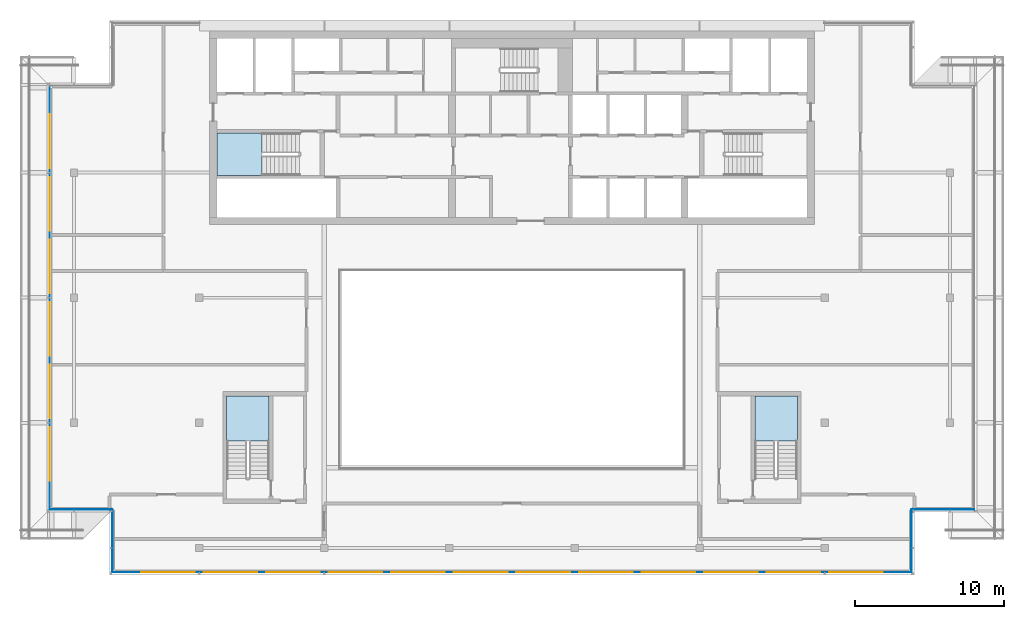
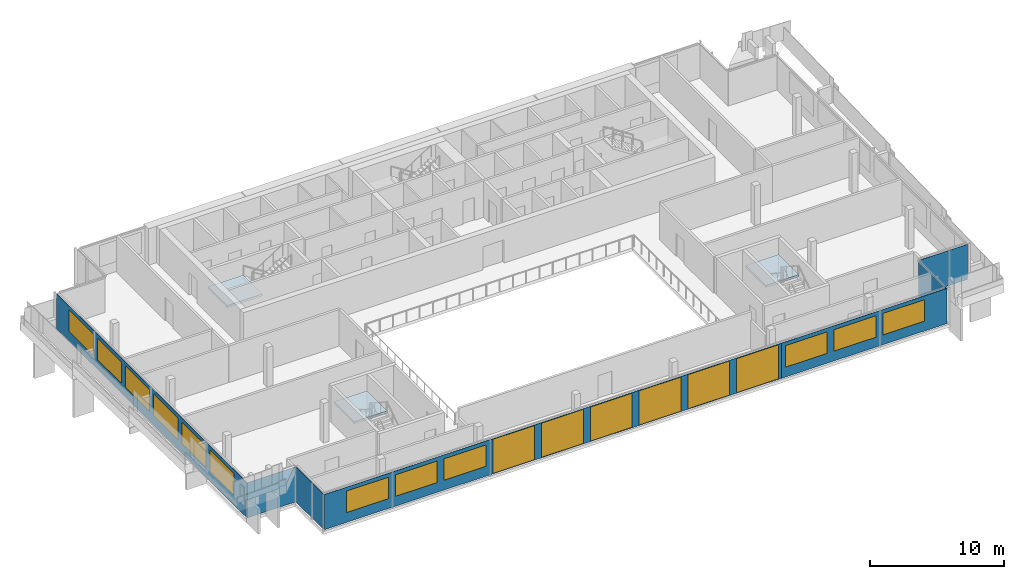
# One storey, part 9 of 20: 18 windows, 8 plates, 3 slabs, 18 openings, 9 elements without a shape of their own.
"""IFC4 building model written with IfcOpenShell, lengths in metres."""

from ifc_helpers import new_model, si_unit, direction, frame, frame_2d, origin, place, context, subcontext, project, spatial, polyline, rectangle, outline, extrude, material, layer, layer_set, type_object, element, fill, aggregate, save


model = new_model("IFC4")

# Units and contexts
model_context = context("Model", 3, precision=1e-05, world=origin(), true_north=direction((0.0, 1.0)))
body_context = subcontext(model_context, "Body", "Model", "MODEL_VIEW")
ifc_project = project(units=[si_unit("LENGTHUNIT", "METRE"), si_unit("AREAUNIT", "SQUARE_METRE"), si_unit("VOLUMEUNIT", "CUBIC_METRE"), si_unit("PLANEANGLEUNIT", "RADIAN"), si_unit("MASSUNIT", "GRAM", prefix="KILO")], contexts=[model_context])

# Site, building, storey
site_placement = place(None, origin())
site = spatial("IfcSite", under=ifc_project, at=site_placement, CompositionType="ELEMENT")
building_placement = place(site_placement, origin())
building = spatial("IfcBuilding", under=site, at=building_placement, Name="Saffron Gate Tower", CompositionType="ELEMENT")
storey_placement = place(building_placement, frame((0.0, 0.0, 303.14990234375)))
storey = spatial("IfcBuildingStorey", under=building, at=storey_placement, Name="L74", CompositionType="ELEMENT", Elevation=303.14990234375)

# Curtain wall, plates, openings, windows
ifc_material_1 = material(Name="Aluminium, bronze anodised", Category="aluminium")
curtain_wall_type_1 = type_object("IfcCurtainWallType", Name="CWS1 curtain wall front facade", PredefinedType="NOTDEFINED", material=ifc_material_1)
curtain_wall_1_placement = place(storey_placement, origin())
curtain_wall_1 = element("IfcCurtainWall", 1, at=curtain_wall_1_placement, inside=storey, type_object=curtain_wall_type_1, Name="CWS1 run 1", PredefinedType="NOTDEFINED")
ifc_material_2 = material(Name="Clear low-iron laminated glass", Category="glass")
ifc_layer_1 = layer(ifc_material_2, 0.028076171875)
ifc_layer_set_1 = layer_set([ifc_layer_1], Name="CWS1 clear glass")
plate_type_1 = type_object("IfcPlateType", Name="CWS1 clear glass", PredefinedType="CURTAIN_PANEL", material=ifc_layer_set_1)
plate_1_placement = place(storey_placement, frame((75.030029296875, 38.573974609375, 0.0), z_axis=(0.0, 0.0, 1.0), x_axis=(1.0, 0.0, 0.0)))
plate_1 = element("IfcPlate", 2, at=plate_1_placement, type_object=plate_type_1, Name="CWS1 clear glass panel", PredefinedType="CURTAIN_PANEL", context=body_context, shape_type="SweptSolid", body=[
    extrude(rectangle(XDim=25.139892578125, YDim=0.028076171875, at=frame_2d((12.56982421875, 0.0))), origin(), (0.0, 0.0, 1.0), 3.2001953125),
])
opening_1_placement = place(plate_1_placement, frame((0.27001953125, 0.0, 0.050048828125)))
opening_1 = element("IfcOpeningElement", 3, at=opening_1_placement, cuts=plate_1, Name="Opening WA", PredefinedType="OPENING", context=body_context, shape_type="SweptSolid", body=[
    extrude(rectangle(XDim=3.60009765625, YDim=3.10009765625, at=frame_2d((1.800048828125, 1.550048828125))), frame((0.0, 0.02392578125, 0.0), z_axis=(0.0, -1.0, 0.0), x_axis=(1.0, 0.0, 0.0)), (0.0, 0.0, 1.0), 0.048095703125),
])
opening_2_placement = place(plate_1_placement, frame((4.469970703125, 0.0, 0.050048828125)))
opening_2 = element("IfcOpeningElement", 4, at=opening_2_placement, cuts=plate_1, Name="Opening WA", PredefinedType="OPENING", context=body_context, shape_type="SweptSolid", body=[
    extrude(rectangle(XDim=3.60009765625, YDim=3.10009765625, at=frame_2d((1.800048828125, 1.550048828125))), frame((0.0, 0.02392578125, 0.0), z_axis=(0.0, -1.0, 0.0), x_axis=(1.0, 0.0, 0.0)), (0.0, 0.0, 1.0), 0.048095703125),
])
opening_3_placement = place(plate_1_placement, frame((8.669921875, 0.0, 0.050048828125)))
opening_3 = element("IfcOpeningElement", 5, at=opening_3_placement, cuts=plate_1, Name="Opening WA", PredefinedType="OPENING", context=body_context, shape_type="SweptSolid", body=[
    extrude(rectangle(XDim=3.60009765625, YDim=3.10009765625, at=frame_2d((1.800048828125, 1.550048828125))), frame((0.0, 0.02392578125, 0.0), z_axis=(0.0, -1.0, 0.0), x_axis=(1.0, 0.0, 0.0)), (0.0, 0.0, 1.0), 0.048095703125),
])
opening_4_placement = place(plate_1_placement, frame((12.8701171875, 0.0, 0.050048828125)))
opening_4 = element("IfcOpeningElement", 6, at=opening_4_placement, cuts=plate_1, Name="Opening WA", PredefinedType="OPENING", context=body_context, shape_type="SweptSolid", body=[
    extrude(rectangle(XDim=3.60009765625, YDim=3.10009765625, at=frame_2d((1.800048828125, 1.550048828125))), frame((0.0, 0.02392578125, 0.0), z_axis=(0.0, -1.0, 0.0), x_axis=(1.0, 0.0, 0.0)), (0.0, 0.0, 1.0), 0.048095703125),
])
opening_5_placement = place(plate_1_placement, frame((17.070068359375, 0.0, 0.050048828125)))
opening_5 = element("IfcOpeningElement", 7, at=opening_5_placement, cuts=plate_1, Name="Opening WA", PredefinedType="OPENING", context=body_context, shape_type="SweptSolid", body=[
    extrude(rectangle(XDim=3.60009765625, YDim=3.10009765625, at=frame_2d((1.800048828125, 1.550048828125))), frame((0.0, 0.02392578125, 0.0), z_axis=(0.0, -1.0, 0.0), x_axis=(1.0, 0.0, 0.0)), (0.0, 0.0, 1.0), 0.048095703125),
])
opening_6_placement = place(plate_1_placement, frame((21.27001953125, 0.0, 0.050048828125)))
opening_6 = element("IfcOpeningElement", 8, at=opening_6_placement, cuts=plate_1, Name="Opening WA", PredefinedType="OPENING", context=body_context, shape_type="SweptSolid", body=[
    extrude(rectangle(XDim=3.60009765625, YDim=3.10009765625, at=frame_2d((1.800048828125, 1.550048828125))), frame((0.0, 0.02392578125, 0.0), z_axis=(0.0, -1.0, 0.0), x_axis=(1.0, 0.0, 0.0)), (0.0, 0.0, 1.0), 0.048095703125),
])
ifc_material_3 = material(Name="Clear low-iron laminated glass in bronze frame", Category="glass")
ifc_layer_2 = layer(ifc_material_3, 0.06005859375)
ifc_layer_set_2 = layer_set([ifc_layer_2], Name="WA operable atrium unit 3600x3100")
window_type_1 = type_object("IfcWindowType", Name="WA operable atrium unit 3600x3100", PartitioningType="DOUBLE_PANEL_HORIZONTAL", PredefinedType="WINDOW", material=ifc_layer_set_2)
window_1_placement = place(opening_1_placement, origin())
window_1 = element("IfcWindow", 9, at=window_1_placement, type_object=window_type_1, Name="WA operable atrium unit", OverallHeight=3.10009765625, OverallWidth=3.60009765625, PartitioningType="SINGLE_PANEL", PredefinedType="WINDOW", context=body_context, shape_type="SweptSolid", body=[
    extrude(rectangle(XDim=3.60009765625, YDim=3.10009765625, at=frame_2d((1.800048828125, 1.550048828125))), frame((0.0, 0.013671875, 0.0), z_axis=(0.0, -1.0, 0.0), x_axis=(1.0, 0.0, 0.0)), (0.0, 0.0, 1.0), 0.027587890625),
])
fill(opening_1, window_1)
window_2_placement = place(opening_2_placement, origin())
window_2 = element("IfcWindow", 10, at=window_2_placement, type_object=window_type_1, Name="WA operable atrium unit", OverallHeight=3.10009765625, OverallWidth=3.60009765625, PartitioningType="SINGLE_PANEL", PredefinedType="WINDOW", context=body_context, shape_type="SweptSolid", body=[
    extrude(rectangle(XDim=3.60009765625, YDim=3.10009765625, at=frame_2d((1.800048828125, 1.550048828125))), frame((0.0, 0.013671875, 0.0), z_axis=(0.0, -1.0, 0.0), x_axis=(1.0, 0.0, 0.0)), (0.0, 0.0, 1.0), 0.027587890625),
])
fill(opening_2, window_2)
window_3_placement = place(opening_3_placement, origin())
window_3 = element("IfcWindow", 11, at=window_3_placement, type_object=window_type_1, Name="WA operable atrium unit", OverallHeight=3.10009765625, OverallWidth=3.60009765625, PartitioningType="SINGLE_PANEL", PredefinedType="WINDOW", context=body_context, shape_type="SweptSolid", body=[
    extrude(rectangle(XDim=3.60009765625, YDim=3.10009765625, at=frame_2d((1.800048828125, 1.550048828125))), frame((0.0, 0.013671875, 0.0), z_axis=(0.0, -1.0, 0.0), x_axis=(1.0, 0.0, 0.0)), (0.0, 0.0, 1.0), 0.027587890625),
])
fill(opening_3, window_3)
window_4_placement = place(opening_4_placement, origin())
window_4 = element("IfcWindow", 12, at=window_4_placement, type_object=window_type_1, Name="WA operable atrium unit", OverallHeight=3.10009765625, OverallWidth=3.60009765625, PartitioningType="SINGLE_PANEL", PredefinedType="WINDOW", context=body_context, shape_type="SweptSolid", body=[
    extrude(rectangle(XDim=3.60009765625, YDim=3.10009765625, at=frame_2d((1.800048828125, 1.550048828125))), frame((0.0, 0.013671875, 0.0), z_axis=(0.0, -1.0, 0.0), x_axis=(1.0, 0.0, 0.0)), (0.0, 0.0, 1.0), 0.027587890625),
])
fill(opening_4, window_4)
window_5_placement = place(opening_5_placement, origin())
window_5 = element("IfcWindow", 13, at=window_5_placement, type_object=window_type_1, Name="WA operable atrium unit", OverallHeight=3.10009765625, OverallWidth=3.60009765625, PartitioningType="SINGLE_PANEL", PredefinedType="WINDOW", context=body_context, shape_type="SweptSolid", body=[
    extrude(rectangle(XDim=3.60009765625, YDim=3.10009765625, at=frame_2d((1.800048828125, 1.550048828125))), frame((0.0, 0.013671875, 0.0), z_axis=(0.0, -1.0, 0.0), x_axis=(1.0, 0.0, 0.0)), (0.0, 0.0, 1.0), 0.027587890625),
])
fill(opening_5, window_5)
window_6_placement = place(opening_6_placement, origin())
window_6 = element("IfcWindow", 14, at=window_6_placement, type_object=window_type_1, Name="WA operable atrium unit", OverallHeight=3.10009765625, OverallWidth=3.60009765625, PartitioningType="SINGLE_PANEL", PredefinedType="WINDOW", context=body_context, shape_type="SweptSolid", body=[
    extrude(rectangle(XDim=3.60009765625, YDim=3.10009765625, at=frame_2d((1.800048828125, 1.550048828125))), frame((0.0, 0.013671875, 0.0), z_axis=(0.0, -1.0, 0.0), x_axis=(1.0, 0.0, 0.0)), (0.0, 0.0, 1.0), 0.027587890625),
])
fill(opening_6, window_6)
ifc_material_4 = material(Name="Fritted bronze-tinted laminated glass", Category="glass")
ifc_layer_3 = layer(ifc_material_4, 0.028076171875)
ifc_layer_set_3 = layer_set([ifc_layer_3], Name="CWS1 fixed glass")
plate_type_2 = type_object("IfcPlateType", Name="CWS1 fixed glass", PredefinedType="CURTAIN_PANEL", material=ifc_layer_set_3)
plate_2_placement = place(storey_placement, frame((60.7880859375, 38.573974609375, 0.0), z_axis=(0.0, 0.0, 1.0), x_axis=(1.0, 0.0, 0.0)))
plate_2 = element("IfcPlate", 15, at=plate_2_placement, type_object=plate_type_2, Name="CWS1 glass panel", PredefinedType="CURTAIN_PANEL", context=body_context, shape_type="SweptSolid", body=[
    extrude(rectangle(XDim=14.241943359375, YDim=0.028076171875, at=frame_2d((7.12109375, 0.0))), origin(), (0.0, 0.0, 1.0), 3.2001953125),
])
opening_7_placement = place(plate_2_placement, frame((1.912109375, 0.0, 0.89990234375)))
opening_7 = element("IfcOpeningElement", 16, at=opening_7_placement, cuts=plate_2, Name="Opening W1", PredefinedType="OPENING", context=body_context, shape_type="SweptSolid", body=[
    extrude(rectangle(XDim=3.60009765625, YDim=1.949951171875, at=frame_2d((1.800048828125, 0.97509765625))), frame((0.0, 0.02392578125, 0.0), z_axis=(0.0, -1.0, 0.0), x_axis=(1.0, 0.0, 0.0)), (0.0, 0.0, 1.0), 0.048095703125),
])
opening_8_placement = place(plate_2_placement, frame((6.112060546875, 0.0, 0.89990234375)))
opening_8 = element("IfcOpeningElement", 17, at=opening_8_placement, cuts=plate_2, Name="Opening W1", PredefinedType="OPENING", context=body_context, shape_type="SweptSolid", body=[
    extrude(rectangle(XDim=3.60009765625, YDim=1.949951171875, at=frame_2d((1.800048828125, 0.97509765625))), frame((0.0, 0.02392578125, 0.0), z_axis=(0.0, -1.0, 0.0), x_axis=(1.0, 0.0, 0.0)), (0.0, 0.0, 1.0), 0.048095703125),
])
opening_9_placement = place(plate_2_placement, frame((10.31201171875, 0.0, 0.89990234375)))
opening_9 = element("IfcOpeningElement", 18, at=opening_9_placement, cuts=plate_2, Name="Opening W1", PredefinedType="OPENING", context=body_context, shape_type="SweptSolid", body=[
    extrude(rectangle(XDim=3.60009765625, YDim=1.949951171875, at=frame_2d((1.800048828125, 0.97509765625))), frame((0.0, 0.02392578125, 0.0), z_axis=(0.0, -1.0, 0.0), x_axis=(1.0, 0.0, 0.0)), (0.0, 0.0, 1.0), 0.048095703125),
])
ifc_material_5 = material(Name="Fritted bronze-tinted laminated glass in bronze frame", Category="glass")
ifc_layer_4 = layer(ifc_material_5, 0.06005859375)
ifc_layer_set_4 = layer_set([ifc_layer_4], Name="W1 operable panel 3600x1950")
window_type_2 = type_object("IfcWindowType", Name="W1 operable panel 3600x1950", PartitioningType="DOUBLE_PANEL_HORIZONTAL", PredefinedType="WINDOW", material=ifc_layer_set_4)
window_7_placement = place(opening_7_placement, origin())
window_7 = element("IfcWindow", 19, at=window_7_placement, type_object=window_type_2, Name="W1 operable panel", OverallHeight=1.949951171875, OverallWidth=3.60009765625, PartitioningType="SINGLE_PANEL", PredefinedType="WINDOW", context=body_context, shape_type="SweptSolid", body=[
    extrude(rectangle(XDim=3.60009765625, YDim=1.949951171875, at=frame_2d((1.800048828125, 0.97509765625))), frame((0.0, 0.013671875, 0.0), z_axis=(0.0, -1.0, 0.0), x_axis=(1.0, 0.0, 0.0)), (0.0, 0.0, 1.0), 0.027587890625),
])
fill(opening_7, window_7)
window_8_placement = place(opening_8_placement, origin())
window_8 = element("IfcWindow", 20, at=window_8_placement, type_object=window_type_2, Name="W1 operable panel", OverallHeight=1.949951171875, OverallWidth=3.60009765625, PartitioningType="SINGLE_PANEL", PredefinedType="WINDOW", context=body_context, shape_type="SweptSolid", body=[
    extrude(rectangle(XDim=3.60009765625, YDim=1.949951171875, at=frame_2d((1.800048828125, 0.97509765625))), frame((0.0, 0.013671875, 0.0), z_axis=(0.0, -1.0, 0.0), x_axis=(1.0, 0.0, 0.0)), (0.0, 0.0, 1.0), 0.027587890625),
])
fill(opening_8, window_8)
window_9_placement = place(opening_9_placement, origin())
window_9 = element("IfcWindow", 21, at=window_9_placement, type_object=window_type_2, Name="W1 operable panel", OverallHeight=1.949951171875, OverallWidth=3.60009765625, PartitioningType="SINGLE_PANEL", PredefinedType="WINDOW", context=body_context, shape_type="SweptSolid", body=[
    extrude(rectangle(XDim=3.60009765625, YDim=1.949951171875, at=frame_2d((1.800048828125, 0.97509765625))), frame((0.0, 0.013671875, 0.0), z_axis=(0.0, -1.0, 0.0), x_axis=(1.0, 0.0, 0.0)), (0.0, 0.0, 1.0), 0.027587890625),
])
fill(opening_9, window_9)
plate_3_placement = place(storey_placement, frame((100.169921875, 38.573974609375, 0.0), z_axis=(0.0, 0.0, 1.0), x_axis=(1.0, 0.0, 0.0)))
plate_3 = element("IfcPlate", 22, at=plate_3_placement, type_object=plate_type_2, Name="CWS1 glass panel", PredefinedType="CURTAIN_PANEL", context=body_context, shape_type="SweptSolid", body=[
    extrude(rectangle(XDim=14.2421875, YDim=0.028076171875, at=frame_2d((7.12109375, 0.0))), origin(), (0.0, 0.0, 1.0), 3.2001953125),
])
opening_10_placement = place(plate_3_placement, frame((0.330078125, 0.0, 0.89990234375)))
opening_10 = element("IfcOpeningElement", 23, at=opening_10_placement, cuts=plate_3, Name="Opening W1", PredefinedType="OPENING", context=body_context, shape_type="SweptSolid", body=[
    extrude(rectangle(XDim=3.60009765625, YDim=1.949951171875, at=frame_2d((1.800048828125, 0.97509765625))), frame((0.0, 0.02392578125, 0.0), z_axis=(0.0, -1.0, 0.0), x_axis=(1.0, 0.0, 0.0)), (0.0, 0.0, 1.0), 0.048095703125),
])
opening_11_placement = place(plate_3_placement, frame((4.530029296875, 0.0, 0.89990234375)))
opening_11 = element("IfcOpeningElement", 24, at=opening_11_placement, cuts=plate_3, Name="Opening W1", PredefinedType="OPENING", context=body_context, shape_type="SweptSolid", body=[
    extrude(rectangle(XDim=3.60009765625, YDim=1.949951171875, at=frame_2d((1.800048828125, 0.97509765625))), frame((0.0, 0.02392578125, 0.0), z_axis=(0.0, -1.0, 0.0), x_axis=(1.0, 0.0, 0.0)), (0.0, 0.0, 1.0), 0.048095703125),
])
opening_12_placement = place(plate_3_placement, frame((8.72998046875, 0.0, 0.89990234375)))
opening_12 = element("IfcOpeningElement", 25, at=opening_12_placement, cuts=plate_3, Name="Opening W1", PredefinedType="OPENING", context=body_context, shape_type="SweptSolid", body=[
    extrude(rectangle(XDim=3.60009765625, YDim=1.949951171875, at=frame_2d((1.800048828125, 0.97509765625))), frame((0.0, 0.02392578125, 0.0), z_axis=(0.0, -1.0, 0.0), x_axis=(1.0, 0.0, 0.0)), (0.0, 0.0, 1.0), 0.048095703125),
])
window_10_placement = place(opening_10_placement, origin())
window_10 = element("IfcWindow", 26, at=window_10_placement, type_object=window_type_2, Name="W1 operable panel", OverallHeight=1.949951171875, OverallWidth=3.60009765625, PartitioningType="SINGLE_PANEL", PredefinedType="WINDOW", context=body_context, shape_type="SweptSolid", body=[
    extrude(rectangle(XDim=3.60009765625, YDim=1.949951171875, at=frame_2d((1.800048828125, 0.97509765625))), frame((0.0, 0.013671875, 0.0), z_axis=(0.0, -1.0, 0.0), x_axis=(1.0, 0.0, 0.0)), (0.0, 0.0, 1.0), 0.027587890625),
])
fill(opening_10, window_10)
window_11_placement = place(opening_11_placement, origin())
window_11 = element("IfcWindow", 27, at=window_11_placement, type_object=window_type_2, Name="W1 operable panel", OverallHeight=1.949951171875, OverallWidth=3.60009765625, PartitioningType="SINGLE_PANEL", PredefinedType="WINDOW", context=body_context, shape_type="SweptSolid", body=[
    extrude(rectangle(XDim=3.60009765625, YDim=1.949951171875, at=frame_2d((1.800048828125, 0.97509765625))), frame((0.0, 0.013671875, 0.0), z_axis=(0.0, -1.0, 0.0), x_axis=(1.0, 0.0, 0.0)), (0.0, 0.0, 1.0), 0.027587890625),
])
fill(opening_11, window_11)
window_12_placement = place(opening_12_placement, origin())
window_12 = element("IfcWindow", 28, at=window_12_placement, type_object=window_type_2, Name="W1 operable panel", OverallHeight=1.949951171875, OverallWidth=3.60009765625, PartitioningType="SINGLE_PANEL", PredefinedType="WINDOW", context=body_context, shape_type="SweptSolid", body=[
    extrude(rectangle(XDim=3.60009765625, YDim=1.949951171875, at=frame_2d((1.800048828125, 0.97509765625))), frame((0.0, 0.013671875, 0.0), z_axis=(0.0, -1.0, 0.0), x_axis=(1.0, 0.0, 0.0)), (0.0, 0.0, 1.0), 0.027587890625),
])
fill(opening_12, window_12)
aggregate(curtain_wall_1, [plate_2, plate_3, plate_1, window_7, window_8, window_9, window_10, window_11, window_12, window_1, window_2, window_3, window_4, window_5, window_6])

# Curtain wall, plate, openings, windows
curtain_wall_type_2 = type_object("IfcCurtainWallType", Name="CWS2 curtain wall side facades", PredefinedType="NOTDEFINED", material=ifc_material_1)
curtain_wall_2_placement = place(storey_placement, origin())
curtain_wall_2 = element("IfcCurtainWall", 29, at=curtain_wall_2_placement, inside=storey, type_object=curtain_wall_type_2, Name="CWS2 run 10", PredefinedType="NOTDEFINED")
ifc_layer_5 = layer(ifc_material_4, 0.028076171875)
ifc_layer_set_5 = layer_set([ifc_layer_5], Name="CWS2 fixed glass")
plate_type_3 = type_object("IfcPlateType", Name="CWS2 fixed glass", PredefinedType="CURTAIN_PANEL", material=ifc_layer_set_5)
plate_4_placement = place(storey_placement, frame((56.573974609375, 71.2119140625, 0.0), z_axis=(0.0, 0.0, 1.0), x_axis=(0.0, -1.0, 0.0)))
plate_4 = element("IfcPlate", 30, at=plate_4_placement, type_object=plate_type_3, Name="CWS2 glass panel", PredefinedType="CURTAIN_PANEL", context=body_context, shape_type="SweptSolid", body=[
    extrude(rectangle(XDim=28.423828125, YDim=0.028076171875, at=frame_2d((14.2119140625, 0.0))), origin(), (0.0, 0.0, 1.0), 3.2001953125),
])
opening_13_placement = place(plate_4_placement, frame((1.912109375, 0.0, 0.89990234375)))
opening_13 = element("IfcOpeningElement", 31, at=opening_13_placement, cuts=plate_4, Name="Opening W1", PredefinedType="OPENING", context=body_context, shape_type="SweptSolid", body=[
    extrude(rectangle(XDim=3.60009765625, YDim=1.949951171875, at=frame_2d((1.800048828125, 0.97509765625))), frame((0.0, 0.02392578125, 0.0), z_axis=(0.0, -1.0, 0.0), x_axis=(1.0, 0.0, 0.0)), (0.0, 0.0, 1.0), 0.048095703125),
])
opening_14_placement = place(plate_4_placement, frame((6.112060546875, 0.0, 0.89990234375)))
opening_14 = element("IfcOpeningElement", 32, at=opening_14_placement, cuts=plate_4, Name="Opening W1", PredefinedType="OPENING", context=body_context, shape_type="SweptSolid", body=[
    extrude(rectangle(XDim=3.60009765625, YDim=1.949951171875, at=frame_2d((1.800048828125, 0.97509765625))), frame((0.0, 0.02392578125, 0.0), z_axis=(0.0, -1.0, 0.0), x_axis=(1.0, 0.0, 0.0)), (0.0, 0.0, 1.0), 0.048095703125),
])
opening_15_placement = place(plate_4_placement, frame((10.31201171875, 0.0, 0.89990234375)))
opening_15 = element("IfcOpeningElement", 33, at=opening_15_placement, cuts=plate_4, Name="Opening W1", PredefinedType="OPENING", context=body_context, shape_type="SweptSolid", body=[
    extrude(rectangle(XDim=3.60009765625, YDim=1.949951171875, at=frame_2d((1.800048828125, 0.97509765625))), frame((0.0, 0.02392578125, 0.0), z_axis=(0.0, -1.0, 0.0), x_axis=(1.0, 0.0, 0.0)), (0.0, 0.0, 1.0), 0.048095703125),
])
opening_16_placement = place(plate_4_placement, frame((14.511962890625, 0.0, 0.89990234375)))
opening_16 = element("IfcOpeningElement", 34, at=opening_16_placement, cuts=plate_4, Name="Opening W1", PredefinedType="OPENING", context=body_context, shape_type="SweptSolid", body=[
    extrude(rectangle(XDim=3.60009765625, YDim=1.949951171875, at=frame_2d((1.800048828125, 0.97509765625))), frame((0.0, 0.02392578125, 0.0), z_axis=(0.0, -1.0, 0.0), x_axis=(1.0, 0.0, 0.0)), (0.0, 0.0, 1.0), 0.048095703125),
])
opening_17_placement = place(plate_4_placement, frame((18.7119140625, 0.0, 0.89990234375)))
opening_17 = element("IfcOpeningElement", 35, at=opening_17_placement, cuts=plate_4, Name="Opening W1", PredefinedType="OPENING", context=body_context, shape_type="SweptSolid", body=[
    extrude(rectangle(XDim=3.60009765625, YDim=1.949951171875, at=frame_2d((1.800048828125, 0.97509765625))), frame((0.0, 0.02392578125, 0.0), z_axis=(0.0, -1.0, 0.0), x_axis=(1.0, 0.0, 0.0)), (0.0, 0.0, 1.0), 0.048095703125),
])
opening_18_placement = place(plate_4_placement, frame((22.912109375, 0.0, 0.89990234375)))
opening_18 = element("IfcOpeningElement", 36, at=opening_18_placement, cuts=plate_4, Name="Opening W1", PredefinedType="OPENING", context=body_context, shape_type="SweptSolid", body=[
    extrude(rectangle(XDim=3.60009765625, YDim=1.949951171875, at=frame_2d((1.800048828125, 0.97509765625))), frame((0.0, 0.02392578125, 0.0), z_axis=(0.0, -1.0, 0.0), x_axis=(1.0, 0.0, 0.0)), (0.0, 0.0, 1.0), 0.048095703125),
])
window_13_placement = place(opening_13_placement, origin())
window_13 = element("IfcWindow", 37, at=window_13_placement, type_object=window_type_2, Name="W1 operable panel", OverallHeight=1.949951171875, OverallWidth=3.60009765625, PartitioningType="SINGLE_PANEL", PredefinedType="WINDOW", context=body_context, shape_type="SweptSolid", body=[
    extrude(rectangle(XDim=3.60009765625, YDim=1.949951171875, at=frame_2d((1.800048828125, 0.97509765625))), frame((0.0, 0.013671875, 0.0), z_axis=(0.0, -1.0, 0.0), x_axis=(1.0, 0.0, 0.0)), (0.0, 0.0, 1.0), 0.027587890625),
])
fill(opening_13, window_13)
window_14_placement = place(opening_14_placement, origin())
window_14 = element("IfcWindow", 38, at=window_14_placement, type_object=window_type_2, Name="W1 operable panel", OverallHeight=1.949951171875, OverallWidth=3.60009765625, PartitioningType="SINGLE_PANEL", PredefinedType="WINDOW", context=body_context, shape_type="SweptSolid", body=[
    extrude(rectangle(XDim=3.60009765625, YDim=1.949951171875, at=frame_2d((1.800048828125, 0.97509765625))), frame((0.0, 0.013671875, 0.0), z_axis=(0.0, -1.0, 0.0), x_axis=(1.0, 0.0, 0.0)), (0.0, 0.0, 1.0), 0.027587890625),
])
fill(opening_14, window_14)
window_15_placement = place(opening_15_placement, origin())
window_15 = element("IfcWindow", 39, at=window_15_placement, type_object=window_type_2, Name="W1 operable panel", OverallHeight=1.949951171875, OverallWidth=3.60009765625, PartitioningType="SINGLE_PANEL", PredefinedType="WINDOW", context=body_context, shape_type="SweptSolid", body=[
    extrude(rectangle(XDim=3.60009765625, YDim=1.949951171875, at=frame_2d((1.800048828125, 0.97509765625))), frame((0.0, 0.013671875, 0.0), z_axis=(0.0, -1.0, 0.0), x_axis=(1.0, 0.0, 0.0)), (0.0, 0.0, 1.0), 0.027587890625),
])
fill(opening_15, window_15)
window_16_placement = place(opening_16_placement, origin())
window_16 = element("IfcWindow", 40, at=window_16_placement, type_object=window_type_2, Name="W1 operable panel", OverallHeight=1.949951171875, OverallWidth=3.60009765625, PartitioningType="SINGLE_PANEL", PredefinedType="WINDOW", context=body_context, shape_type="SweptSolid", body=[
    extrude(rectangle(XDim=3.60009765625, YDim=1.949951171875, at=frame_2d((1.800048828125, 0.97509765625))), frame((0.0, 0.013671875, 0.0), z_axis=(0.0, -1.0, 0.0), x_axis=(1.0, 0.0, 0.0)), (0.0, 0.0, 1.0), 0.027587890625),
])
fill(opening_16, window_16)
window_17_placement = place(opening_17_placement, origin())
window_17 = element("IfcWindow", 41, at=window_17_placement, type_object=window_type_2, Name="W1 operable panel", OverallHeight=1.949951171875, OverallWidth=3.60009765625, PartitioningType="SINGLE_PANEL", PredefinedType="WINDOW", context=body_context, shape_type="SweptSolid", body=[
    extrude(rectangle(XDim=3.60009765625, YDim=1.949951171875, at=frame_2d((1.800048828125, 0.97509765625))), frame((0.0, 0.013671875, 0.0), z_axis=(0.0, -1.0, 0.0), x_axis=(1.0, 0.0, 0.0)), (0.0, 0.0, 1.0), 0.027587890625),
])
fill(opening_17, window_17)
window_18_placement = place(opening_18_placement, origin())
window_18 = element("IfcWindow", 42, at=window_18_placement, type_object=window_type_2, Name="W1 operable panel", OverallHeight=1.949951171875, OverallWidth=3.60009765625, PartitioningType="SINGLE_PANEL", PredefinedType="WINDOW", context=body_context, shape_type="SweptSolid", body=[
    extrude(rectangle(XDim=3.60009765625, YDim=1.949951171875, at=frame_2d((1.800048828125, 0.97509765625))), frame((0.0, 0.013671875, 0.0), z_axis=(0.0, -1.0, 0.0), x_axis=(1.0, 0.0, 0.0)), (0.0, 0.0, 1.0), 0.027587890625),
])
fill(opening_18, window_18)
aggregate(curtain_wall_2, [plate_4, window_13, window_14, window_15, window_16, window_17, window_18])

# Curtain wall, plate
curtain_wall_type_3 = type_object("IfcCurtainWallType", Name="CWS4 curtain wall corner returns", PredefinedType="NOTDEFINED", material=ifc_material_1)
curtain_wall_3_placement = place(storey_placement, origin())
curtain_wall_3 = element("IfcCurtainWall", 43, at=curtain_wall_3_placement, inside=storey, type_object=curtain_wall_type_3, Name="CWS4 run 2", PredefinedType="NOTDEFINED")
ifc_layer_6 = layer(ifc_material_4, 0.028076171875)
ifc_layer_set_6 = layer_set([ifc_layer_6], Name="CWS4 fixed glass")
plate_type_4 = type_object("IfcPlateType", Name="CWS4 fixed glass", PredefinedType="CURTAIN_PANEL", material=ifc_layer_set_6)
plate_5_placement = place(storey_placement, frame((114.426025390625, 38.587890625, 0.0), z_axis=(0.0, 0.0, 1.0), x_axis=(0.0, 1.0, 0.0)))
plate_5 = element("IfcPlate", 44, at=plate_5_placement, type_object=plate_type_4, Name="CWS4 glass panel", PredefinedType="CURTAIN_PANEL", context=body_context, shape_type="SweptSolid", body=[
    extrude(rectangle(XDim=4.172119140625, YDim=0.028076171875, at=frame_2d((2.0859375, 0.0))), origin(), (0.0, 0.0, 1.0), 3.2001953125),
])
aggregate(curtain_wall_3, [plate_5])

curtain_wall_4_placement = place(storey_placement, origin())
curtain_wall_4 = element("IfcCurtainWall", 45, at=curtain_wall_4_placement, inside=storey, type_object=curtain_wall_type_3, Name="CWS4 run 3", PredefinedType="NOTDEFINED")
plate_6_placement = place(storey_placement, frame((114.43994140625, 42.77392578125, 0.0), z_axis=(0.0, 0.0, 1.0), x_axis=(1.0, 0.0, 0.0)))
plate_6 = element("IfcPlate", 46, at=plate_6_placement, type_object=plate_type_4, Name="CWS4 glass panel", PredefinedType="CURTAIN_PANEL", context=body_context, shape_type="SweptSolid", body=[
    extrude(rectangle(XDim=4.172119140625, YDim=0.028076171875, at=frame_2d((2.0859375, 0.0))), origin(), (0.0, 0.0, 1.0), 3.2001953125),
])
aggregate(curtain_wall_4, [plate_6])

curtain_wall_5_placement = place(storey_placement, origin())
curtain_wall_5 = element("IfcCurtainWall", 47, at=curtain_wall_5_placement, inside=storey, type_object=curtain_wall_type_3, Name="CWS4 run 11", PredefinedType="NOTDEFINED")
plate_7_placement = place(storey_placement, frame((56.587890625, 42.77392578125, 0.0), z_axis=(0.0, 0.0, 1.0), x_axis=(1.0, 0.0, 0.0)))
plate_7 = element("IfcPlate", 48, at=plate_7_placement, type_object=plate_type_4, Name="CWS4 glass panel", PredefinedType="CURTAIN_PANEL", context=body_context, shape_type="SweptSolid", body=[
    extrude(rectangle(XDim=4.172119140625, YDim=0.028076171875, at=frame_2d((2.0859375, 0.0))), origin(), (0.0, 0.0, 1.0), 3.2001953125),
])
aggregate(curtain_wall_5, [plate_7])

curtain_wall_6_placement = place(storey_placement, origin())
curtain_wall_6 = element("IfcCurtainWall", 49, at=curtain_wall_6_placement, inside=storey, type_object=curtain_wall_type_3, Name="CWS4 run 12", PredefinedType="NOTDEFINED")
plate_8_placement = place(storey_placement, frame((60.77392578125, 42.760009765625, 0.0), z_axis=(0.0, 0.0, 1.0), x_axis=(0.0, -1.0, 0.0)))
plate_8 = element("IfcPlate", 50, at=plate_8_placement, type_object=plate_type_4, Name="CWS4 glass panel", PredefinedType="CURTAIN_PANEL", context=body_context, shape_type="SweptSolid", body=[
    extrude(rectangle(XDim=4.172119140625, YDim=0.028076171875, at=frame_2d((2.0859375, 0.0))), origin(), (0.0, 0.0, 1.0), 3.2001953125),
])
aggregate(curtain_wall_6, [plate_8])

# Stair, slab
ifc_material_6 = material(Name="Concrete C40", Category="concrete")
stair_type = type_object("IfcStairType", Name="ST7 Stair 1350 wide, 20 risers of 180", PredefinedType="HALF_TURN_STAIR", material=ifc_material_6)
stair_1_placement = place(storey_placement, origin())
stair_1 = element("IfcStair", 51, at=stair_1_placement, inside=storey, type_object=stair_type, Name="L74 Exit stair A", PredefinedType="HALF_TURN_STAIR")
ifc_layer_7 = layer(ifc_material_6, 0.199951171875)
ifc_layer_set_7 = layer_set([ifc_layer_7], Name="SL1 Stair landing 200")
slab_type = type_object("IfcSlabType", Name="SL1 Stair landing 200", PredefinedType="LANDING", material=ifc_layer_set_7)
slab_1_placement = place(storey_placement, frame((0.0, 0.0, 1.60009765625)))
slab_1 = element("IfcSlab", 52, at=slab_1_placement, type_object=slab_type, Name="ST-A landing 1", PredefinedType="LANDING", context=body_context, shape_type="SweptSolid", body=[
    extrude(outline(polyline([(70.830078125, 68.050048828125), (67.800048828125, 68.050048828125), (67.800048828125, 65.199951171875), (70.830078125, 65.199951171875), (70.830078125, 68.050048828125)])), origin(), (0.0, 0.0, 1.0), 0.199951171875),
])
aggregate(stair_1, [slab_1])

stair_2_placement = place(storey_placement, origin())
stair_2 = element("IfcStair", 53, at=stair_2_placement, inside=storey, type_object=stair_type, Name="L74 Exit stair D", PredefinedType="HALF_TURN_STAIR")
slab_2_placement = place(storey_placement, frame((0.0, 0.0, 1.60009765625)))
slab_2 = element("IfcSlab", 54, at=slab_2_placement, type_object=slab_type, Name="ST-D landing 1", PredefinedType="LANDING", context=body_context, shape_type="SweptSolid", body=[
    extrude(outline(polyline([(71.300048828125, 47.3701171875), (71.300048828125, 50.39990234375), (68.449951171875, 50.39990234375), (68.449951171875, 47.3701171875), (71.300048828125, 47.3701171875)])), origin(), (0.0, 0.0, 1.0), 0.199951171875),
])
aggregate(stair_2, [slab_2])

stair_3_placement = place(storey_placement, origin())
stair_3 = element("IfcStair", 55, at=stair_3_placement, inside=storey, type_object=stair_type, Name="L74 Exit stair E", PredefinedType="HALF_TURN_STAIR")
slab_3_placement = place(storey_placement, frame((0.0, 0.0, 1.60009765625)))
slab_3 = element("IfcSlab", 56, at=slab_3_placement, type_object=slab_type, Name="ST-E landing 1", PredefinedType="LANDING", context=body_context, shape_type="SweptSolid", body=[
    extrude(outline(polyline([(106.75, 47.3701171875), (106.75, 50.39990234375), (103.89990234375, 50.39990234375), (103.89990234375, 47.3701171875), (106.75, 47.3701171875)])), origin(), (0.0, 0.0, 1.0), 0.199951171875),
])
aggregate(stair_3, [slab_3])

save(model, "model.ifc")
